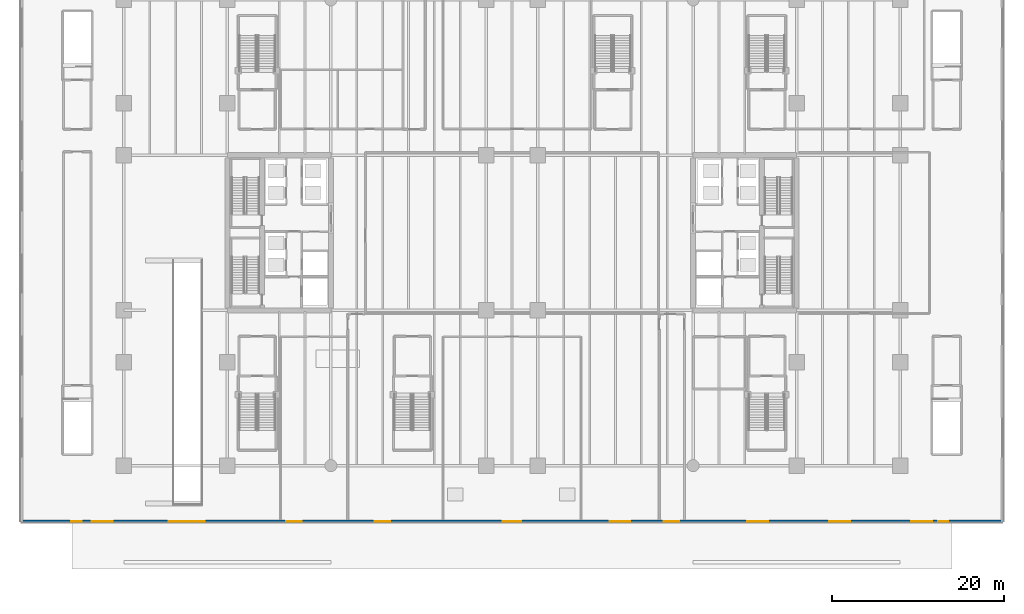
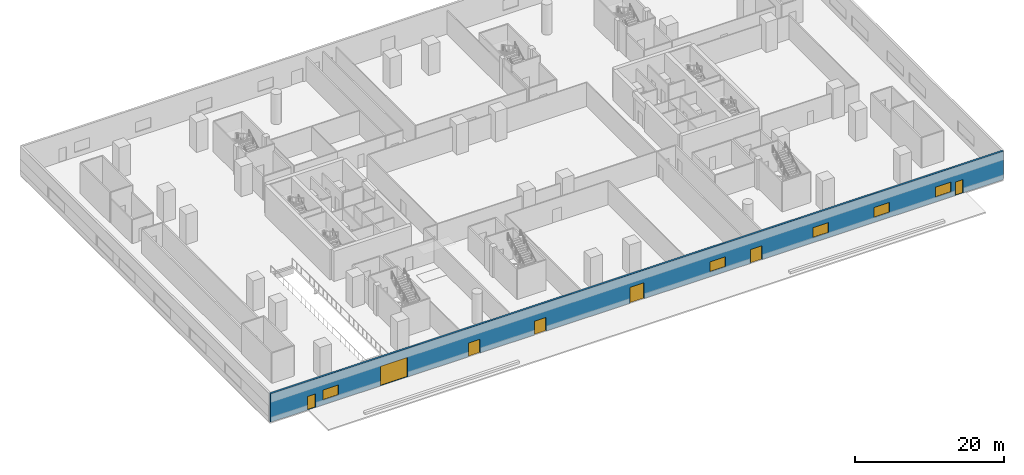
# One storey, part 4 of 25: 7 doors, 5 windows, 1 wall, 12 openings.
"""IFC4 building model written with IfcOpenShell, lengths in metres."""

from ifc_helpers import new_model, si_unit, direction, frame, frame_2d, origin, place, context, subcontext, project, spatial, rectangle, extrude, material, layer, layer_set, type_object, element, fill, save


model = new_model("IFC4")

# Units and contexts
model_context = context("Model", 3, precision=1e-05, world=origin(), true_north=direction((0.0, 1.0)))
body_context = subcontext(model_context, "Body", "Model", "MODEL_VIEW")
ifc_project = project(units=[si_unit("LENGTHUNIT", "METRE"), si_unit("AREAUNIT", "SQUARE_METRE"), si_unit("VOLUMEUNIT", "CUBIC_METRE"), si_unit("PLANEANGLEUNIT", "RADIAN"), si_unit("MASSUNIT", "GRAM", prefix="KILO")], contexts=[model_context])

# Site, building, storey
site_placement = place(None, origin())
site = spatial("IfcSite", under=ifc_project, at=site_placement, CompositionType="ELEMENT")
building_placement = place(site_placement, origin())
building = spatial("IfcBuilding", under=site, at=building_placement, Name="Tanjung Sevakor Pilgrim Tower", CompositionType="ELEMENT")
storey_placement = place(building_placement, origin())
storey = spatial("IfcBuildingStorey", under=building, at=storey_placement, Name="L01", CompositionType="ELEMENT", Elevation=0.0)

# Wall, openings, doors, windows
ifc_material_1 = material(Name="Precast concrete C45/55", Category="concrete")
ifc_layer = layer(ifc_material_1, 0.300048828125)
ifc_layer_set = layer_set([ifc_layer], Name="WT-EW-STN1")
wall_type = type_object("IfcWallType", Name="WT-EW-STN1", PredefinedType="SOLIDWALL", material=ifc_layer_set)
wall_placement = place(storey_placement, frame((0.14990234375, 0.14990234375, 0.0), z_axis=(0.0, 0.0, 1.0), x_axis=(1.0, 0.0, 0.0)))
wall = element("IfcWall", 1, at=wall_placement, inside=storey, type_object=wall_type, Name="L01 MAIN Exterior Wall 1", PredefinedType="SOLIDWALL", context=body_context, shape_type="SweptSolid", body=[
    extrude(rectangle(XDim=113.7001953125, YDim=0.300048828125, at=frame_2d((56.85009765625, 0.0))), origin(), (0.0, 0.0, 1.0), 4.669921875),
])
opening_1_placement = place(wall_placement, frame((5.75, 0.0, 0.0)))
opening_1 = element("IfcOpeningElement", 2, at=opening_1_placement, cuts=wall, Name="Opening ED-EXIT-1200", PredefinedType="OPENING", context=body_context, shape_type="SweptSolid", body=[
    extrude(rectangle(XDim=1.199951171875, YDim=2.199951171875, at=frame_2d((0.60009765625, 1.10009765625))), frame((0.0, 0.159912109375, 0.0), z_axis=(0.0, -1.0, 0.0), x_axis=(1.0, 0.0, 0.0)), (0.0, 0.0, 1.0), 0.320068359375),
])
opening_2_placement = place(wall_placement, frame((17.050048828125, 0.0, 0.0)))
opening_2 = element("IfcOpeningElement", 3, at=opening_2_placement, cuts=wall, Name="Opening VG-RAMP-4200", PredefinedType="OPENING", context=body_context, shape_type="SweptSolid", body=[
    extrude(rectangle(XDim=4.199951171875, YDim=3.199951171875, at=frame_2d((2.10009765625, 1.60009765625))), frame((0.0, 0.159912109375, 0.0), z_axis=(0.0, -1.0, 0.0), x_axis=(1.0, 0.0, 0.0)), (0.0, 0.0, 1.0), 0.320068359375),
])
opening_3_placement = place(wall_placement, frame((30.699951171875, 0.0, 0.0)))
opening_3 = element("IfcOpeningElement", 4, at=opening_3_placement, cuts=wall, Name="Opening ED-EXIT-1800", PredefinedType="OPENING", context=body_context, shape_type="SweptSolid", body=[
    extrude(rectangle(XDim=1.800048828125, YDim=2.25, at=frame_2d((0.89990234375, 1.125))), frame((0.0, 0.159912109375, 0.0), z_axis=(0.0, -1.0, 0.0), x_axis=(1.0, 0.0, 0.0)), (0.0, 0.0, 1.0), 0.320068359375),
])
opening_4_placement = place(wall_placement, frame((40.949951171875, 0.0, 0.0)))
opening_4 = element("IfcOpeningElement", 5, at=opening_4_placement, cuts=wall, Name="Opening ED-EXIT-1800", PredefinedType="OPENING", context=body_context, shape_type="SweptSolid", body=[
    extrude(rectangle(XDim=1.800048828125, YDim=2.25, at=frame_2d((0.89990234375, 1.125))), frame((0.0, 0.159912109375, 0.0), z_axis=(0.0, -1.0, 0.0), x_axis=(1.0, 0.0, 0.0)), (0.0, 0.0, 1.0), 0.320068359375),
])
opening_5_placement = place(wall_placement, frame((55.75, 0.0, 0.0)))
opening_5 = element("IfcOpeningElement", 6, at=opening_5_placement, cuts=wall, Name="Opening ED-ENT-2200", PredefinedType="OPENING", context=body_context, shape_type="SweptSolid", body=[
    extrude(rectangle(XDim=2.199951171875, YDim=2.60009765625, at=frame_2d((1.10009765625, 1.300048828125))), frame((0.0, 0.159912109375, 0.0), z_axis=(0.0, -1.0, 0.0), x_axis=(1.0, 0.0, 0.0)), (0.0, 0.0, 1.0), 0.320068359375),
])
opening_6_placement = place(wall_placement, frame((74.449951171875, 0.0, 0.0)))
opening_6 = element("IfcOpeningElement", 7, at=opening_6_placement, cuts=wall, Name="Opening ED-EXIT-1800", PredefinedType="OPENING", context=body_context, shape_type="SweptSolid", body=[
    extrude(rectangle(XDim=1.800048828125, YDim=2.25, at=frame_2d((0.89990234375, 1.125))), frame((0.0, 0.159912109375, 0.0), z_axis=(0.0, -1.0, 0.0), x_axis=(1.0, 0.0, 0.0)), (0.0, 0.0, 1.0), 0.320068359375),
])
opening_7_placement = place(wall_placement, frame((106.25, 0.0, 0.0)))
opening_7 = element("IfcOpeningElement", 8, at=opening_7_placement, cuts=wall, Name="Opening ED-EXIT-1200", PredefinedType="OPENING", context=body_context, shape_type="SweptSolid", body=[
    extrude(rectangle(XDim=1.199951171875, YDim=2.199951171875, at=frame_2d((0.60009765625, 1.10009765625))), frame((0.0, 0.159912109375, 0.0), z_axis=(0.0, -1.0, 0.0), x_axis=(1.0, 0.0, 0.0)), (0.0, 0.0, 1.0), 0.320068359375),
])
opening_8_placement = place(wall_placement, frame((68.179931640625, 0.0, 0.780029296875)))
opening_8 = element("IfcOpeningElement", 9, at=opening_8_placement, cuts=wall, Name="Opening WN-P1-1660", PredefinedType="OPENING", context=body_context, shape_type="SweptSolid", body=[
    extrude(rectangle(XDim=2.39990234375, YDim=1.659912109375, at=frame_2d((1.199951171875, 0.830078125))), frame((0.0, 0.159912109375, 0.0), z_axis=(0.0, -1.0, 0.0), x_axis=(1.0, 0.0, 0.0)), (0.0, 0.0, 1.0), 0.320068359375),
])
opening_9_placement = place(wall_placement, frame((8.14990234375, 0.0, 0.780029296875)))
opening_9 = element("IfcOpeningElement", 10, at=opening_9_placement, cuts=wall, Name="Opening WN-P1-1660", PredefinedType="OPENING", context=body_context, shape_type="SweptSolid", body=[
    extrude(rectangle(XDim=2.39990234375, YDim=1.659912109375, at=frame_2d((1.199951171875, 0.830078125))), frame((0.0, 0.159912109375, 0.0), z_axis=(0.0, -1.0, 0.0), x_axis=(1.0, 0.0, 0.0)), (0.0, 0.0, 1.0), 0.320068359375),
])
opening_10_placement = place(wall_placement, frame((84.14990234375, 0.0, 0.780029296875)))
opening_10 = element("IfcOpeningElement", 11, at=opening_10_placement, cuts=wall, Name="Opening WN-P1-1660", PredefinedType="OPENING", context=body_context, shape_type="SweptSolid", body=[
    extrude(rectangle(XDim=2.39990234375, YDim=1.659912109375, at=frame_2d((1.199951171875, 0.830078125))), frame((0.0, 0.159912109375, 0.0), z_axis=(0.0, -1.0, 0.0), x_axis=(1.0, 0.0, 0.0)), (0.0, 0.0, 1.0), 0.320068359375),
])
opening_11_placement = place(wall_placement, frame((93.64990234375, 0.0, 0.780029296875)))
opening_11 = element("IfcOpeningElement", 12, at=opening_11_placement, cuts=wall, Name="Opening WN-P1-1660", PredefinedType="OPENING", context=body_context, shape_type="SweptSolid", body=[
    extrude(rectangle(XDim=2.39990234375, YDim=1.659912109375, at=frame_2d((1.199951171875, 0.830078125))), frame((0.0, 0.159912109375, 0.0), z_axis=(0.0, -1.0, 0.0), x_axis=(1.0, 0.0, 0.0)), (0.0, 0.0, 1.0), 0.320068359375),
])
opening_12_placement = place(wall_placement, frame((103.14990234375, 0.0, 0.780029296875)))
opening_12 = element("IfcOpeningElement", 13, at=opening_12_placement, cuts=wall, Name="Opening WN-P1-1660", PredefinedType="OPENING", context=body_context, shape_type="SweptSolid", body=[
    extrude(rectangle(XDim=2.39990234375, YDim=1.659912109375, at=frame_2d((1.199951171875, 0.830078125))), frame((0.0, 0.159912109375, 0.0), z_axis=(0.0, -1.0, 0.0), x_axis=(1.0, 0.0, 0.0)), (0.0, 0.0, 1.0), 0.320068359375),
])
ifc_material_2 = material(Name="Anodised Aluminium and Laminated Glass", Category="aluminium")
door_type_1 = type_object("IfcDoorType", Name="DTYP-ED-ENT-2200", OperationType="DOUBLE_DOOR_SINGLE_SWING", PredefinedType="DOOR", material=ifc_material_2)
door_1_placement = place(opening_5_placement, frame((2.199951171875, 0.0, 0.0), z_axis=(0.0, 0.0, 1.0), x_axis=(-1.0, 0.0, 0.0)))
door_1 = element("IfcDoor", 14, at=door_1_placement, inside=storey, type_object=door_type_1, Name="L01 South Main Pilgrim Entrance", OperationType="SINGLE_SWING_RIGHT", OverallHeight=2.60009765625, OverallWidth=2.199951171875, PredefinedType="DOOR", context=body_context, shape_type="SweptSolid", body=[
    extrude(rectangle(XDim=2.199951171875, YDim=2.60009765625, at=frame_2d((1.10009765625, 1.300048828125))), frame((0.0, 0.02490234375, 0.0), z_axis=(0.0, -1.0, 0.0), x_axis=(1.0, 0.0, 0.0)), (0.0, 0.0, 1.0), 0.050048828125),
])
fill(opening_5, door_1)
ifc_material_3 = material(Name="Anodised Aluminium and Laminated Glass", Category="aluminium")
door_type_2 = type_object("IfcDoorType", Name="DTYP-ED-EXIT-1200", OperationType="NOTDEFINED", PredefinedType="DOOR", material=ifc_material_3)
door_2_placement = place(opening_1_placement, frame((1.199951171875, 0.0, 0.0), z_axis=(0.0, 0.0, 1.0), x_axis=(-1.0, 0.0, 0.0)))
door_2 = element("IfcDoor", 15, at=door_2_placement, inside=storey, type_object=door_type_2, Name="L01 South-West Stair Discharge Door", OperationType="SINGLE_SWING_RIGHT", OverallHeight=2.199951171875, OverallWidth=1.199951171875, PredefinedType="DOOR", context=body_context, shape_type="SweptSolid", body=[
    extrude(rectangle(XDim=1.199951171875, YDim=2.199951171875, at=frame_2d((0.60009765625, 1.10009765625))), frame((0.0, 0.02490234375, 0.0), z_axis=(0.0, -1.0, 0.0), x_axis=(1.0, 0.0, 0.0)), (0.0, 0.0, 1.0), 0.050048828125),
])
fill(opening_1, door_2)
door_3_placement = place(opening_7_placement, frame((1.199951171875, 0.0, 0.0), z_axis=(0.0, 0.0, 1.0), x_axis=(-1.0, 0.0, 0.0)))
door_3 = element("IfcDoor", 16, at=door_3_placement, inside=storey, type_object=door_type_2, Name="L01 South-East Stair Discharge Door", OperationType="SINGLE_SWING_RIGHT", OverallHeight=2.199951171875, OverallWidth=1.199951171875, PredefinedType="DOOR", context=body_context, shape_type="SweptSolid", body=[
    extrude(rectangle(XDim=1.199951171875, YDim=2.199951171875, at=frame_2d((0.60009765625, 1.10009765625))), frame((0.0, 0.02490234375, 0.0), z_axis=(0.0, -1.0, 0.0), x_axis=(1.0, 0.0, 0.0)), (0.0, 0.0, 1.0), 0.050048828125),
])
fill(opening_7, door_3)
ifc_material_4 = material(Name="Anodised Aluminium and Laminated Glass", Category="aluminium")
door_type_3 = type_object("IfcDoorType", Name="DTYP-ED-EXIT-1800", OperationType="DOUBLE_DOOR_SINGLE_SWING", PredefinedType="DOOR", material=ifc_material_4)
door_4_placement = place(opening_3_placement, frame((1.800048828125, 0.0, 0.0), z_axis=(0.0, 0.0, 1.0), x_axis=(-1.0, 0.0, 0.0)))
door_4 = element("IfcDoor", 17, at=door_4_placement, inside=storey, type_object=door_type_3, Name="L01 West Retail Street Entrance", OperationType="SINGLE_SWING_RIGHT", OverallHeight=2.25, OverallWidth=1.800048828125, PredefinedType="DOOR", context=body_context, shape_type="SweptSolid", body=[
    extrude(rectangle(XDim=1.800048828125, YDim=2.25, at=frame_2d((0.89990234375, 1.125))), frame((0.0, 0.02490234375, 0.0), z_axis=(0.0, -1.0, 0.0), x_axis=(1.0, 0.0, 0.0)), (0.0, 0.0, 1.0), 0.050048828125),
])
fill(opening_3, door_4)
door_5_placement = place(opening_4_placement, frame((1.800048828125, 0.0, 0.0), z_axis=(0.0, 0.0, 1.0), x_axis=(-1.0, 0.0, 0.0)))
door_5 = element("IfcDoor", 18, at=door_5_placement, inside=storey, type_object=door_type_3, Name="L01 West Core Final Exit Door", OperationType="SINGLE_SWING_LEFT", OverallHeight=2.25, OverallWidth=1.800048828125, PredefinedType="DOOR", context=body_context, shape_type="SweptSolid", body=[
    extrude(rectangle(XDim=1.800048828125, YDim=2.25, at=frame_2d((0.89990234375, 1.125))), frame((0.0, 0.02490234375, 0.0), z_axis=(0.0, -1.0, 0.0), x_axis=(1.0, 0.0, 0.0)), (0.0, 0.0, 1.0), 0.050048828125),
])
fill(opening_4, door_5)
door_6_placement = place(opening_6_placement, frame((1.800048828125, 0.0, 0.0), z_axis=(0.0, 0.0, 1.0), x_axis=(-1.0, 0.0, 0.0)))
door_6 = element("IfcDoor", 19, at=door_6_placement, inside=storey, type_object=door_type_3, Name="L01 East Core Final Exit Door", OperationType="SINGLE_SWING_LEFT", OverallHeight=2.25, OverallWidth=1.800048828125, PredefinedType="DOOR", context=body_context, shape_type="SweptSolid", body=[
    extrude(rectangle(XDim=1.800048828125, YDim=2.25, at=frame_2d((0.89990234375, 1.125))), frame((0.0, 0.02490234375, 0.0), z_axis=(0.0, -1.0, 0.0), x_axis=(1.0, 0.0, 0.0)), (0.0, 0.0, 1.0), 0.050048828125),
])
fill(opening_6, door_6)
ifc_material_5 = material(Name="Galvanised Steel S355J2", Category="steel")
door_type_4 = type_object("IfcDoorType", Name="DTYP-VG-RAMP-4200", OperationType="ROLLINGUP", PredefinedType="GATE", material=ifc_material_5)
door_7_placement = place(opening_2_placement, origin())
door_7 = element("IfcDoor", 20, at=door_7_placement, inside=storey, type_object=door_type_4, Name="L01 Vehicle Ramp Roller Gate", OperationType="SINGLE_SWING_LEFT", OverallHeight=3.199951171875, OverallWidth=4.199951171875, PredefinedType="GATE", context=body_context, shape_type="SweptSolid", body=[
    extrude(rectangle(XDim=4.199951171875, YDim=3.199951171875, at=frame_2d((2.10009765625, 1.60009765625))), frame((0.0, 0.02490234375, 0.0), z_axis=(0.0, -1.0, 0.0), x_axis=(1.0, 0.0, 0.0)), (0.0, 0.0, 1.0), 0.050048828125),
])
fill(opening_2, door_7)
ifc_material_6 = material(Name="Thermally Broken Aluminium and Low-E Glass", Category="aluminium")
window_type = type_object("IfcWindowType", Name="WTYP-WN-P1-1660", PartitioningType="DOUBLE_PANEL_VERTICAL", PredefinedType="WINDOW", material=ifc_material_6)
window_1_placement = place(opening_8_placement, origin())
window_1 = element("IfcWindow", 21, at=window_1_placement, inside=storey, type_object=window_type, Name="L01 Facade Window 01", OverallHeight=1.659912109375, OverallWidth=2.39990234375, PartitioningType="SINGLE_PANEL", PredefinedType="WINDOW", context=body_context, shape_type="SweptSolid", body=[
    extrude(rectangle(XDim=2.39990234375, YDim=1.659912109375, at=frame_2d((1.199951171875, 0.830078125))), frame((0.0, 0.030029296875, 0.0), z_axis=(0.0, -1.0, 0.0), x_axis=(1.0, 0.0, 0.0)), (0.0, 0.0, 1.0), 0.06005859375),
])
fill(opening_8, window_1)
window_2_placement = place(opening_9_placement, origin())
window_2 = element("IfcWindow", 22, at=window_2_placement, inside=storey, type_object=window_type, Name="L01 Facade Window 02", OverallHeight=1.659912109375, OverallWidth=2.39990234375, PartitioningType="SINGLE_PANEL", PredefinedType="WINDOW", context=body_context, shape_type="SweptSolid", body=[
    extrude(rectangle(XDim=2.39990234375, YDim=1.659912109375, at=frame_2d((1.199951171875, 0.830078125))), frame((0.0, 0.030029296875, 0.0), z_axis=(0.0, -1.0, 0.0), x_axis=(1.0, 0.0, 0.0)), (0.0, 0.0, 1.0), 0.06005859375),
])
fill(opening_9, window_2)
window_3_placement = place(opening_10_placement, origin())
window_3 = element("IfcWindow", 23, at=window_3_placement, inside=storey, type_object=window_type, Name="L01 Facade Window 03", OverallHeight=1.659912109375, OverallWidth=2.39990234375, PartitioningType="SINGLE_PANEL", PredefinedType="WINDOW", context=body_context, shape_type="SweptSolid", body=[
    extrude(rectangle(XDim=2.39990234375, YDim=1.659912109375, at=frame_2d((1.199951171875, 0.830078125))), frame((0.0, 0.030029296875, 0.0), z_axis=(0.0, -1.0, 0.0), x_axis=(1.0, 0.0, 0.0)), (0.0, 0.0, 1.0), 0.06005859375),
])
fill(opening_10, window_3)
window_4_placement = place(opening_11_placement, origin())
window_4 = element("IfcWindow", 24, at=window_4_placement, inside=storey, type_object=window_type, Name="L01 Facade Window 04", OverallHeight=1.659912109375, OverallWidth=2.39990234375, PartitioningType="SINGLE_PANEL", PredefinedType="WINDOW", context=body_context, shape_type="SweptSolid", body=[
    extrude(rectangle(XDim=2.39990234375, YDim=1.659912109375, at=frame_2d((1.199951171875, 0.830078125))), frame((0.0, 0.030029296875, 0.0), z_axis=(0.0, -1.0, 0.0), x_axis=(1.0, 0.0, 0.0)), (0.0, 0.0, 1.0), 0.06005859375),
])
fill(opening_11, window_4)
window_5_placement = place(opening_12_placement, origin())
window_5 = element("IfcWindow", 25, at=window_5_placement, inside=storey, type_object=window_type, Name="L01 Facade Window 05", OverallHeight=1.659912109375, OverallWidth=2.39990234375, PartitioningType="SINGLE_PANEL", PredefinedType="WINDOW", context=body_context, shape_type="SweptSolid", body=[
    extrude(rectangle(XDim=2.39990234375, YDim=1.659912109375, at=frame_2d((1.199951171875, 0.830078125))), frame((0.0, 0.030029296875, 0.0), z_axis=(0.0, -1.0, 0.0), x_axis=(1.0, 0.0, 0.0)), (0.0, 0.0, 1.0), 0.06005859375),
])
fill(opening_12, window_5)

save(model, "model.ifc")
